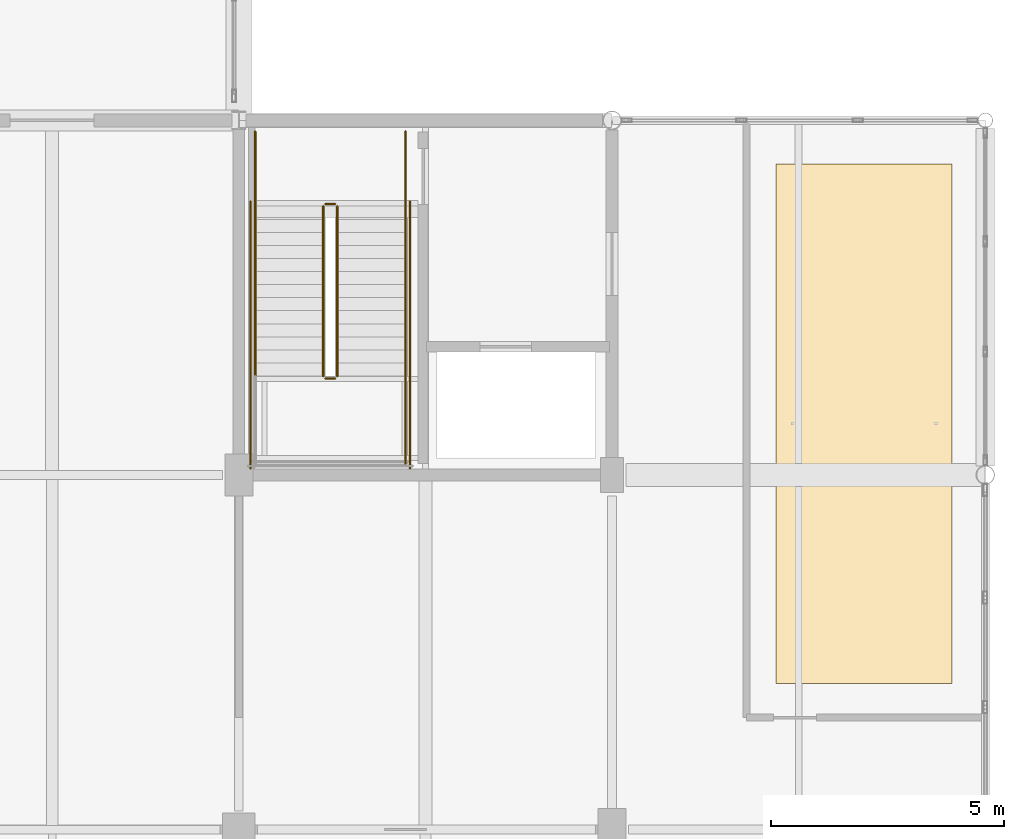
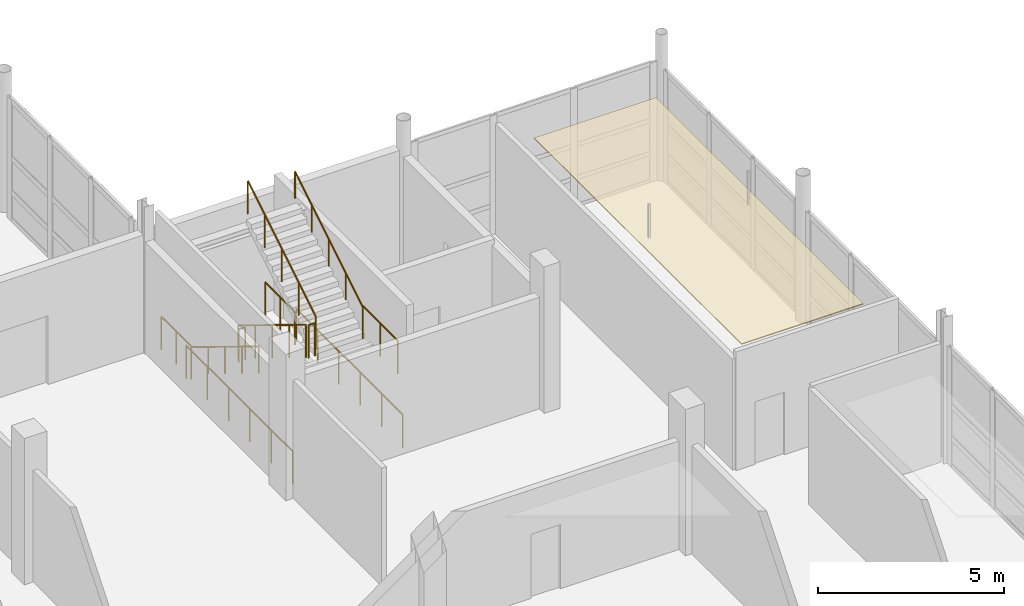
# One storey, part 138 of 141: 11 railings, 1 covering.
"""IFC4 building model written with IfcOpenShell, lengths in metres."""

from ifc_helpers import new_model, si_unit, direction, frame, origin, origin_2d, place, context, subcontext, project, spatial, polyline, circle, outline, extrude, material, layer, layer_set, type_object, element, save


model = new_model("IFC4")

# Units and contexts
model_context = context("Model", 3, precision=1e-05, world=origin(), true_north=direction((0.0, 1.0)))
body_context = subcontext(model_context, "Body", "Model", "MODEL_VIEW")
ifc_project = project(units=[si_unit("LENGTHUNIT", "METRE"), si_unit("AREAUNIT", "SQUARE_METRE"), si_unit("VOLUMEUNIT", "CUBIC_METRE"), si_unit("PLANEANGLEUNIT", "RADIAN"), si_unit("MASSUNIT", "GRAM", prefix="KILO")], contexts=[model_context])

# Site, building, storey
site_placement = place(None, origin())
site = spatial("IfcSite", under=ifc_project, at=site_placement, CompositionType="ELEMENT")
building_placement = place(site_placement, origin())
building = spatial("IfcBuilding", under=site, at=building_placement, Name="Khelvaren Railside Concert Hall", CompositionType="ELEMENT")
storey_placement = place(building_placement, frame((0.0, 0.0, 10.199951171875)))
storey = spatial("IfcBuildingStorey", under=building, at=storey_placement, Name="L02", CompositionType="ELEMENT", Elevation=10.199951171875)

# Covering
ifc_material_1 = material(Name="Micro-perforated timber acoustic ceiling", Category="wood")
ifc_layer = layer(ifc_material_1, 0.030029296875)
ifc_layer_set = layer_set([ifc_layer], Name="Micro-perforated timber acoustic ceiling")
covering_type = type_object("IfcCoveringType", Name="CLG77", PredefinedType="CEILING", material=ifc_layer_set)
covering_placement = place(storey_placement, frame((0.0, 0.0, 3.420166015625)))
element("IfcCovering", 1, at=covering_placement, inside=storey, type_object=covering_type, Name="Suspended Acoustic Ceiling Sound Archive Server Room L02", PredefinedType="CEILING", context=body_context, shape_type="SweptSolid", body=[
    extrude(outline(polyline([(179.510009765625, 25.929931640625), (183.2900390625, 25.929931640625), (183.2900390625, 37.070068359375), (179.510009765625, 37.070068359375), (179.510009765625, 25.929931640625)])), origin(), (0.0, 0.0, 1.0), 0.02978515625),
])

# Railings
ifc_material_2 = material(Name="Painted architectural steel", Category="steel")
railing_type_1 = type_object("IfcRailingType", Name="GRD86", PredefinedType="GUARDRAIL", material=ifc_material_2)
railing_1_placement = place(storey_placement, frame((169.81005859375, 36.159912109375, 0.17138671875)))
element("IfcRailing", 2, at=railing_1_placement, inside=storey, type_object=railing_type_1, Name="L02 ST-04 stair guard 1", PredefinedType="GUARDRAIL", context=body_context, shape_type="SweptSolid", body=[
    extrude(circle(Radius=0.02392578125, at=origin_2d()), frame((0.0, 0.0, 1.076171875), z_axis=(0.0, -0.852824790078, 0.522197163366), x_axis=(1.0, 0.0, 0.0)), (0.0, 0.0, 1.0), 4.26806640625),
    extrude(circle(Radius=0.02099609375, at=origin_2d()), origin(), (0.0, 0.0, 1.0), 1.052001953125),
    extrude(circle(Radius=0.02099609375, at=origin_2d()), frame((0.0, -0.909912109375, 0.55712890625)), (0.0, 0.0, 1.0), 1.052001953125),
    extrude(circle(Radius=0.02099609375, at=origin_2d()), frame((0.0, -1.81982421875, 1.1142578125)), (0.0, 0.0, 1.0), 1.052001953125),
    extrude(circle(Radius=0.02099609375, at=origin_2d()), frame((0.0, -2.72998046875, 1.671630859375)), (0.0, 0.0, 1.0), 1.052001953125),
    extrude(circle(Radius=0.02099609375, at=origin_2d()), frame((0.0, -3.639892578125, 2.228759765625)), (0.0, 0.0, 1.0), 1.052001953125),
])
railing_2_placement = place(storey_placement, frame((169.860107421875, 32.469970703125, 2.400146484375)))
element("IfcRailing", 3, at=railing_2_placement, inside=storey, type_object=railing_type_1, Name="L02 ST-04 stair guard 2", PredefinedType="GUARDRAIL", context=body_context, shape_type="SweptSolid", body=[
    extrude(circle(Radius=0.02392578125, at=origin_2d()), frame((0.0, 0.0, 1.076171875), z_axis=(1.0, 0.0, 0.0), x_axis=(0.0, 1.0, 0.0)), (0.0, 0.0, 1.0), 0.199951171875),
    extrude(circle(Radius=0.02099609375, at=origin_2d()), origin(), (0.0, 0.0, 1.0), 1.052001953125),
    extrude(circle(Radius=0.02099609375, at=origin_2d()), frame((0.199951171875, 0.0, 0.0)), (0.0, 0.0, 1.0), 1.052001953125),
])
railing_3_placement = place(storey_placement, frame((171.570068359375, 32.52001953125, 2.400146484375)))
element("IfcRailing", 4, at=railing_3_placement, inside=storey, type_object=railing_type_1, Name="L02 ST-04 stair guard 4", PredefinedType="GUARDRAIL", context=body_context, shape_type="SweptSolid", body=[
    extrude(circle(Radius=0.02392578125, at=origin_2d()), frame((0.0, 0.0, 1.076171875), z_axis=(0.0, -1.0, 0.0), x_axis=(1.0, 0.0, 0.0)), (0.0, 0.0, 1.0), 1.880126953125),
    extrude(circle(Radius=0.02099609375, at=origin_2d()), origin(), (0.0, 0.0, 1.0), 1.052001953125),
    extrude(circle(Radius=0.02099609375, at=origin_2d()), frame((0.0, -0.93994140625, 0.0)), (0.0, 0.0, 1.0), 1.052001953125),
    extrude(circle(Radius=0.02099609375, at=origin_2d()), frame((0.0, -1.880126953125, 0.0)), (0.0, 0.0, 1.0), 1.052001953125),
])
railing_4_placement = place(storey_placement, frame((170.110107421875, 32.52001953125, 2.571533203125)))
element("IfcRailing", 5, at=railing_4_placement, inside=storey, type_object=railing_type_1, Name="L02 ST-04 stair guard 6", PredefinedType="GUARDRAIL", context=body_context, shape_type="SweptSolid", body=[
    extrude(circle(Radius=0.02392578125, at=origin_2d()), frame((0.0, 0.0, 1.076171875), z_axis=(0.0, 0.852850264322, 0.5221555579), x_axis=(-1.0, 0.0, 0.0)), (0.0, 0.0, 1.0), 4.267822265625),
    extrude(circle(Radius=0.02099609375, at=origin_2d()), origin(), (0.0, 0.0, 1.0), 1.052001953125),
    extrude(circle(Radius=0.02099609375, at=origin_2d()), frame((0.0, 0.909912109375, 0.55712890625)), (0.0, 0.0, 1.0), 1.052001953125),
    extrude(circle(Radius=0.02099609375, at=origin_2d()), frame((0.0, 1.81982421875, 1.1142578125)), (0.0, 0.0, 1.0), 1.052001953125),
    extrude(circle(Radius=0.02099609375, at=origin_2d()), frame((0.0, 2.72998046875, 1.67138671875)), (0.0, 0.0, 1.0), 1.052001953125),
    extrude(circle(Radius=0.02099609375, at=origin_2d()), frame((0.0, 3.639892578125, 2.228515625)), (0.0, 0.0, 1.0), 1.052001953125),
])
railing_5_placement = place(storey_placement, frame((169.860107421875, 36.2099609375, 0.0)))
element("IfcRailing", 6, at=railing_5_placement, inside=storey, type_object=railing_type_1, Name="L02 ST-04 stair guard 7", PredefinedType="GUARDRAIL", context=body_context, shape_type="SweptSolid", body=[
    extrude(circle(Radius=0.02392578125, at=origin_2d()), frame((0.0, 0.0, 1.076171875), z_axis=(1.0, 0.0, 0.0), x_axis=(0.0, 1.0, 0.0)), (0.0, 0.0, 1.0), 0.199951171875),
    extrude(circle(Radius=0.02099609375, at=origin_2d()), origin(), (0.0, 0.0, 1.0), 1.052001953125),
    extrude(circle(Radius=0.02099609375, at=origin_2d()), frame((0.199951171875, 0.0, 0.0)), (0.0, 0.0, 1.0), 1.052001953125),
])
for number, where, name in (
    (7, (168.35009765625, 37.760009765625, 0.0), "L02 ST-04 stair guard 8"),
    (8, (171.570068359375, 37.760009765625, 0.0), "L02 ST-04 stair guard 9"),
):
    element("IfcRailing", number, at=place(storey_placement, frame(where)), inside=storey, type_object=railing_type_1, Name=name, PredefinedType="GUARDRAIL", context=body_context, shape_type="SweptSolid", body=[
        extrude(circle(Radius=0.02392578125, at=origin_2d()), frame((0.0, 0.0, 1.076171875), z_axis=(0.0, -1.0, 0.0), x_axis=(1.0, 0.0, 0.0)), (0.0, 0.0, 1.0), 1.60009765625),
        extrude(circle(Radius=0.02099609375, at=origin_2d()), origin(), (0.0, 0.0, 1.0), 1.052001953125),
        extrude(circle(Radius=0.02099609375, at=origin_2d()), frame((0.0, -0.800048828125, 0.0)), (0.0, 0.0, 1.0), 1.052001953125),
        extrude(circle(Radius=0.02099609375, at=origin_2d()), frame((0.0, -1.60009765625, 0.0)), (0.0, 0.0, 1.0), 1.052001953125),
    ])
for number, where, name in (
    (9, (168.25, 36.260009765625, 0.0), "L02 ST-04 stair guard 10"),
    (10, (171.669921875, 36.260009765625, 0.0), "L02 ST-04 stair guard 11"),
):
    element("IfcRailing", number, at=place(storey_placement, frame(where)), inside=storey, type_object=railing_type_1, Name=name, PredefinedType="GUARDRAIL", context=body_context, shape_type="SweptSolid", body=[
        extrude(circle(Radius=0.02392578125, at=origin_2d()), frame((0.0, 0.0, 1.076171875), z_axis=(0.0, -1.0, 0.0), x_axis=(1.0, 0.0, 0.0)), (0.0, 0.0, 1.0), 5.719970703125),
        extrude(circle(Radius=0.02099609375, at=origin_2d()), origin(), (0.0, 0.0, 1.0), 1.052001953125),
        extrude(circle(Radius=0.02099609375, at=origin_2d()), frame((0.0, -1.14404296875, 0.0)), (0.0, 0.0, 1.0), 1.052001953125),
        extrude(circle(Radius=0.02099609375, at=origin_2d()), frame((0.0, -2.2880859375, 0.0)), (0.0, 0.0, 1.0), 1.052001953125),
        extrude(circle(Radius=0.02099609375, at=origin_2d()), frame((0.0, -3.431884765625, 0.0)), (0.0, 0.0, 1.0), 1.052001953125),
        extrude(circle(Radius=0.02099609375, at=origin_2d()), frame((0.0, -4.575927734375, 0.0)), (0.0, 0.0, 1.0), 1.052001953125),
        extrude(circle(Radius=0.02099609375, at=origin_2d()), frame((0.0, -5.719970703125, 0.0)), (0.0, 0.0, 1.0), 1.052001953125),
    ])
ifc_material_3 = material(Name="Brushed stainless steel Grade 316", Category="steel")
railing_type_2 = type_object("IfcRailingType", Name="HRL59", PredefinedType="HANDRAIL", material=ifc_material_3)
railing_6_placement = place(storey_placement, frame((168.35009765625, 36.159912109375, 0.17138671875)))
element("IfcRailing", 11, at=railing_6_placement, inside=storey, type_object=railing_type_2, Name="L02 ST-04 stair handrail 1", PredefinedType="HANDRAIL", context=body_context, shape_type="SweptSolid", body=[
    extrude(circle(Radius=0.02392578125, at=origin_2d()), frame((0.0, 0.0, 0.8759765625), z_axis=(0.0, -0.852824790078, 0.522197163366), x_axis=(1.0, 0.0, 0.0)), (0.0, 0.0, 1.0), 4.26806640625),
    extrude(circle(Radius=0.02099609375, at=origin_2d()), origin(), (0.0, 0.0, 1.0), 0.851806640625),
    extrude(circle(Radius=0.02099609375, at=origin_2d()), frame((0.0, -0.909912109375, 0.55712890625)), (0.0, 0.0, 1.0), 0.851806640625),
    extrude(circle(Radius=0.02099609375, at=origin_2d()), frame((0.0, -1.81982421875, 1.1142578125)), (0.0, 0.0, 1.0), 0.851806640625),
    extrude(circle(Radius=0.02099609375, at=origin_2d()), frame((0.0, -2.72998046875, 1.671630859375)), (0.0, 0.0, 1.0), 0.851806640625),
    extrude(circle(Radius=0.02099609375, at=origin_2d()), frame((0.0, -3.639892578125, 2.228759765625)), (0.0, 0.0, 1.0), 0.851806640625),
])
railing_7_placement = place(storey_placement, frame((171.570068359375, 32.52001953125, 2.571533203125)))
element("IfcRailing", 12, at=railing_7_placement, inside=storey, type_object=railing_type_2, Name="L02 ST-04 stair handrail 2", PredefinedType="HANDRAIL", context=body_context, shape_type="SweptSolid", body=[
    extrude(circle(Radius=0.02392578125, at=origin_2d()), frame((0.0, 0.0, 0.8759765625), z_axis=(0.0, 0.852850264322, 0.5221555579), x_axis=(-1.0, 0.0, 0.0)), (0.0, 0.0, 1.0), 4.267822265625),
    extrude(circle(Radius=0.02099609375, at=origin_2d()), origin(), (0.0, 0.0, 1.0), 0.851806640625),
    extrude(circle(Radius=0.02099609375, at=origin_2d()), frame((0.0, 0.909912109375, 0.55712890625)), (0.0, 0.0, 1.0), 0.851806640625),
    extrude(circle(Radius=0.02099609375, at=origin_2d()), frame((0.0, 1.81982421875, 1.1142578125)), (0.0, 0.0, 1.0), 0.851806640625),
    extrude(circle(Radius=0.02099609375, at=origin_2d()), frame((0.0, 2.72998046875, 1.67138671875)), (0.0, 0.0, 1.0), 0.851806640625),
    extrude(circle(Radius=0.02099609375, at=origin_2d()), frame((0.0, 3.639892578125, 2.228515625)), (0.0, 0.0, 1.0), 0.851806640625),
])

save(model, "model.ifc")
